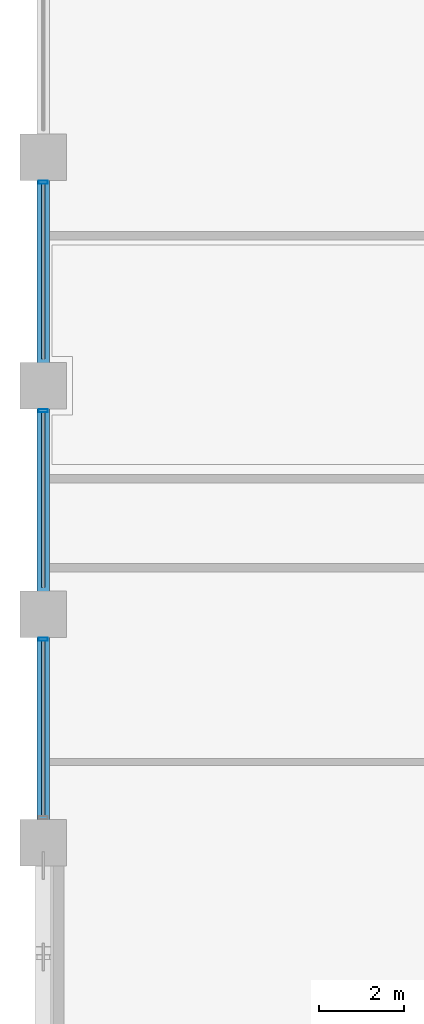
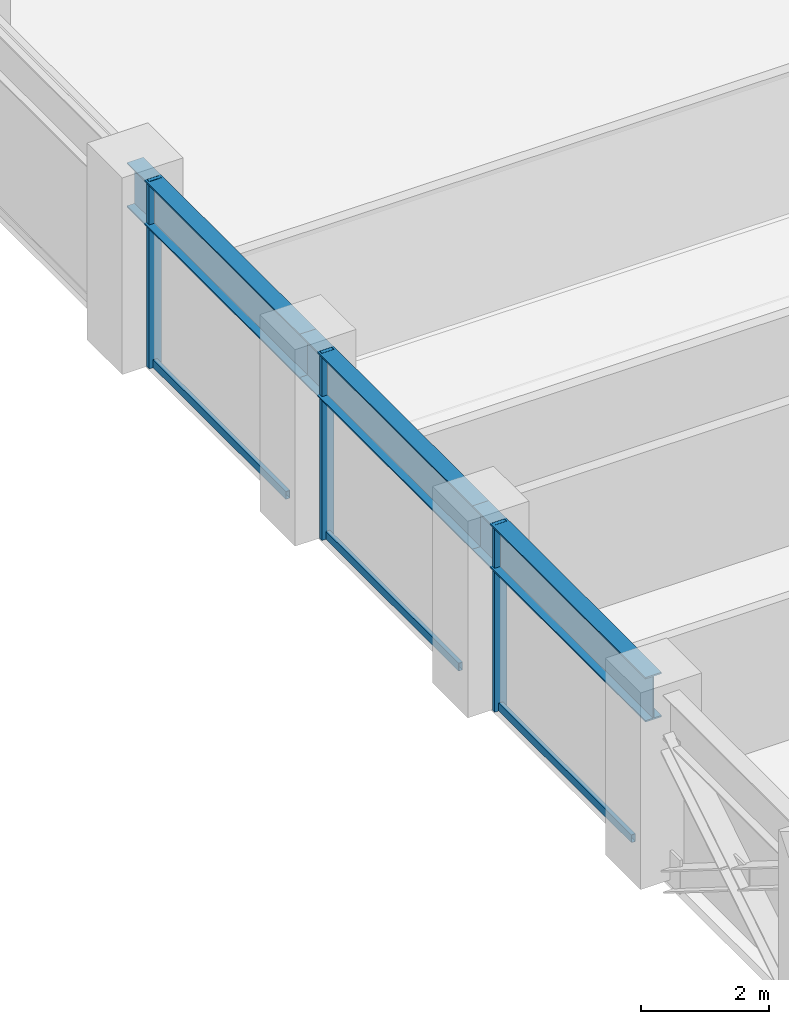
# One storey, part 6 of 25: 6 members, 3 beams, 1 element without a shape of its own.
"""IFC4 building model written with IfcOpenShell, lengths in metres."""

from ifc_helpers import new_model, si_unit, direction, frame, origin, origin_2d, place, context, subcontext, project, spatial, hollow_rectangle, i_section, extrude, material, layer, layer_set, material_profile, profile_set, type_object, element, aggregate, save


model = new_model("IFC4")

# Units and contexts
model_context = context("Model", 3, precision=1e-05, world=origin(), true_north=direction((0.0, 1.0)))
body_context = subcontext(model_context, "Body", "Model", "MODEL_VIEW")
ifc_project = project(units=[si_unit("LENGTHUNIT", "METRE"), si_unit("AREAUNIT", "SQUARE_METRE"), si_unit("VOLUMEUNIT", "CUBIC_METRE"), si_unit("PLANEANGLEUNIT", "RADIAN"), si_unit("MASSUNIT", "GRAM", prefix="KILO")], contexts=[model_context])

# Site, building, storey
site_placement = place(None, origin())
site = spatial("IfcSite", under=ifc_project, at=site_placement, CompositionType="ELEMENT")
building_placement = place(site_placement, origin())
building = spatial("IfcBuilding", under=site, at=building_placement, Name="Surkhivell Harbour Commons", CompositionType="ELEMENT")
storey_placement = place(building_placement, frame((0.0, 0.0, 117.0)))
storey = spatial("IfcBuildingStorey", under=building, at=storey_placement, Name="L30", CompositionType="ELEMENT", Elevation=117.0)

# Beams
ifc_material_1 = material(Name="Steel S460", Category="steel")
ifc_material_profile_1 = material_profile(ifc_material_1, i_section(OverallWidth=0.2939453125, OverallDepth=0.85107421875, WebThickness=0.01611328125, FlangeThickness=0.02685546875, at=origin_2d()), Name="UB838x292x226")
ifc_profile_set_1 = profile_set([ifc_material_profile_1], Name="Steel S460")
beam_type = type_object("IfcBeamType", Name="BM-SPN-838", PredefinedType="SPANDREL", material=ifc_profile_set_1)
beam_placement = place(storey_placement, frame((-32.39990234375, -10.800048828125, 3.14453125), z_axis=(0.0, 1.0, 0.0), x_axis=(-1.0, 0.0, 0.0)))
element("IfcBeam", 1, at=beam_placement, inside=storey, type_object=beam_type, Name="L30 Tube Spandrel (-32.4,-10.8)", PredefinedType="SPANDREL", context=body_context, shape_type="SweptSolid", body=[
    extrude(i_section(OverallWidth=0.2939453125, OverallDepth=0.85107421875, WebThickness=0.01611328125, FlangeThickness=0.02685546875, at=origin_2d()), origin(), (0.0, 0.0, 1.0), 5.400146484375),
])
for number, where, z_axis, x_axis, name in (
    (2, (-32.39990234375, -5.39990234375, 3.14453125), (0.0, 1.0, 0.0), (-1.0, 0.0, 0.0), "L30 Tube Spandrel (-32.4,-5.4)"),
    (3, (-32.39990234375, 0.0, 3.14453125), (0.0, 1.0, 0.0), (-1.0, 0.0, 0.0), "L30 Tube Spandrel (-32.4,0.0)"),
):
    element("IfcBeam", number, at=place(storey_placement, frame(where, z_axis=z_axis, x_axis=x_axis)), inside=storey, type_object=beam_type, Name=name, PredefinedType="SPANDREL", context=body_context, shape_type="SweptSolid", body=[
        extrude(i_section(OverallWidth=0.2939453125, OverallDepth=0.85107421875, WebThickness=0.01611328125, FlangeThickness=0.02685546875, at=origin_2d()), origin(), (0.0, 0.0, 1.0), 5.39990234375),
    ])

# Curtain wall, members
ifc_material_2 = material(Name="Anodised pale-metal aluminium and insulated glazing", Category="aluminium")
ifc_layer = layer(ifc_material_2, 0.205078125)
ifc_layer_set = layer_set([ifc_layer], Name="Anodised pale-metal aluminium and insulated glazing")
curtain_wall_type = type_object("IfcCurtainWallType", Name="CW-SYS-Z2", PredefinedType="NOTDEFINED", material=ifc_layer_set)
curtain_wall_placement = place(storey_placement, origin())
curtain_wall = element("IfcCurtainWall", 4, at=curtain_wall_placement, inside=storey, type_object=curtain_wall_type, Name="L30 Curtain Wall CW-L30-E12S1", PredefinedType="NOTDEFINED")
ifc_material_3 = material(Name="Anodised pale-metal aluminium alloy 6063-T6", Category="aluminium")
ifc_material_profile_2 = material_profile(ifc_material_3, hollow_rectangle(XDim=0.074951171875, YDim=0.219970703125, WallThickness=0.00390625, at=origin_2d()), Name="ALU-MULL-75x220")
ifc_profile_set_2 = profile_set([ifc_material_profile_2], Name="Anodised pale-metal aluminium alloy 6063-T6")
member_type_1 = type_object("IfcMemberType", Name="CWM-220", PredefinedType="MULLION", material=ifc_profile_set_2)
member_1_placement = place(storey_placement, frame((-32.39990234375, 4.810546875, 0.0), z_axis=(0.0, 0.0, 1.0), x_axis=(0.0, -1.0, 0.0)))
member_1 = element("IfcMember", 5, at=member_1_placement, type_object=member_type_1, Name="CW-Z2 mullion 4", PredefinedType="MULLION", context=body_context, shape_type="SweptSolid", body=[
    extrude(hollow_rectangle(XDim=0.074951171875, YDim=0.219970703125, WallThickness=0.00390625, at=origin_2d()), origin(), (0.0, 0.0, 1.0), 3.570068359375),
])
member_2_placement = place(storey_placement, frame((-32.39990234375, -0.589599609375, 0.0), z_axis=(0.0, 0.0, 1.0), x_axis=(0.0, -1.0, 0.0)))
member_2 = element("IfcMember", 6, at=member_2_placement, type_object=member_type_1, Name="CW-Z2 mullion 5", PredefinedType="MULLION", context=body_context, shape_type="SweptSolid", body=[
    extrude(hollow_rectangle(XDim=0.074951171875, YDim=0.219970703125, WallThickness=0.00390625, at=origin_2d()), origin(), (0.0, 0.0, 1.0), 3.570068359375),
])
member_3_placement = place(storey_placement, frame((-32.39990234375, -5.989501953125, 0.0), z_axis=(0.0, 0.0, 1.0), x_axis=(0.0, -1.0, 0.0)))
member_3 = element("IfcMember", 7, at=member_3_placement, type_object=member_type_1, Name="CW-Z2 mullion 6", PredefinedType="MULLION", context=body_context, shape_type="SweptSolid", body=[
    extrude(hollow_rectangle(XDim=0.074951171875, YDim=0.219970703125, WallThickness=0.00390625, at=origin_2d()), origin(), (0.0, 0.0, 1.0), 3.570068359375),
])
ifc_material_profile_3 = material_profile(ifc_material_3, hollow_rectangle(XDim=0.074951171875, YDim=0.14990234375, WallThickness=0.00341796875, at=origin_2d()), Name="ALU-TRAN-75x150")
ifc_profile_set_3 = profile_set([ifc_material_profile_3], Name="Anodised pale-metal aluminium alloy 6063-T6")
member_type_2 = type_object("IfcMemberType", Name="CWT-150", PredefinedType="USERDEFINED", material=ifc_profile_set_3)
member_4_placement = place(storey_placement, frame((-32.39990234375, 4.77294921875, 0.074951171875), z_axis=(0.0, -1.0, 0.0), x_axis=(1.0, 0.0, 0.0)))
member_4 = element("IfcMember", 8, at=member_4_placement, type_object=member_type_2, Name="CW-Z2 transom 4.1", ObjectType="TRANSOM", PredefinedType="USERDEFINED", context=body_context, shape_type="SweptSolid", body=[
    extrude(hollow_rectangle(XDim=0.074951171875, YDim=0.14990234375, WallThickness=0.00341796875, at=origin_2d()), origin(), (0.0, 0.0, 1.0), 4.14599609375),
])
member_5_placement = place(storey_placement, frame((-32.39990234375, -0.626953125, 0.074951171875), z_axis=(0.0, -1.0, 0.0), x_axis=(1.0, 0.0, 0.0)))
member_5 = element("IfcMember", 9, at=member_5_placement, type_object=member_type_2, Name="CW-Z2 transom 5.1", ObjectType="TRANSOM", PredefinedType="USERDEFINED", context=body_context, shape_type="SweptSolid", body=[
    extrude(hollow_rectangle(XDim=0.074951171875, YDim=0.14990234375, WallThickness=0.00341796875, at=origin_2d()), origin(), (0.0, 0.0, 1.0), 4.14599609375),
])
member_6_placement = place(storey_placement, frame((-32.39990234375, -6.027099609375, 0.074951171875), z_axis=(0.0, -1.0, 0.0), x_axis=(1.0, 0.0, 0.0)))
member_6 = element("IfcMember", 10, at=member_6_placement, type_object=member_type_2, Name="CW-Z2 transom 6.1", ObjectType="TRANSOM", PredefinedType="USERDEFINED", context=body_context, shape_type="SweptSolid", body=[
    extrude(hollow_rectangle(XDim=0.074951171875, YDim=0.14990234375, WallThickness=0.00341796875, at=origin_2d()), origin(), (0.0, 0.0, 1.0), 4.14599609375),
])
aggregate(curtain_wall, [member_1, member_4, member_2, member_5, member_3, member_6])

save(model, "model.ifc")
